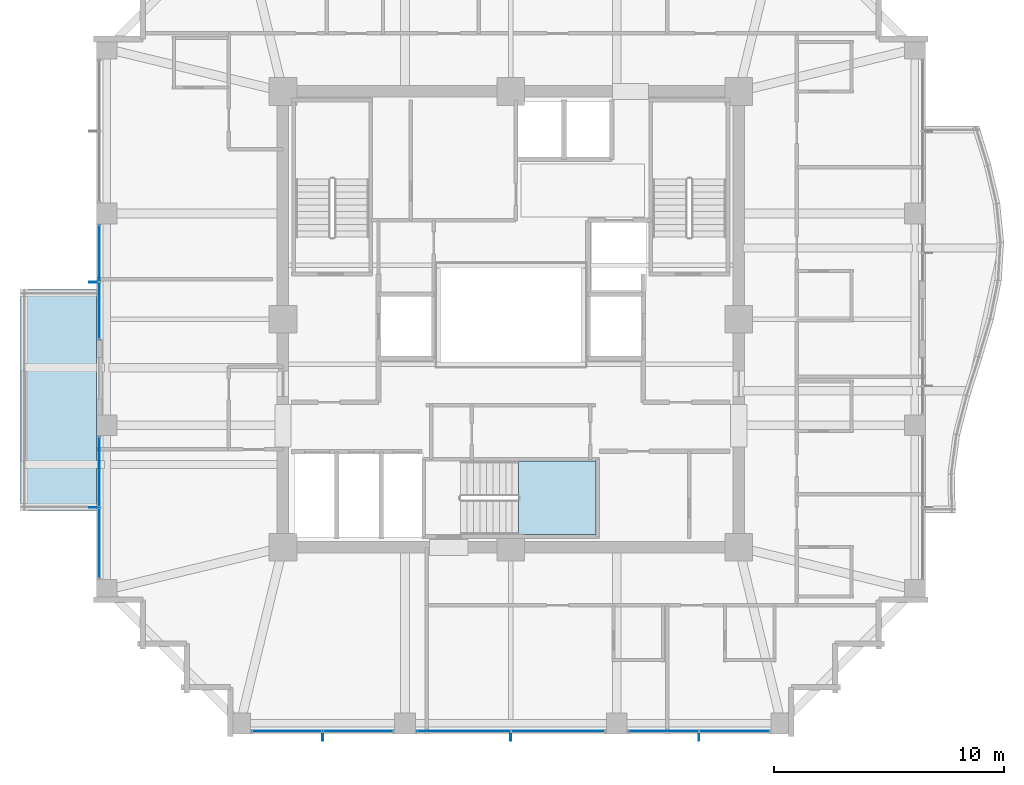
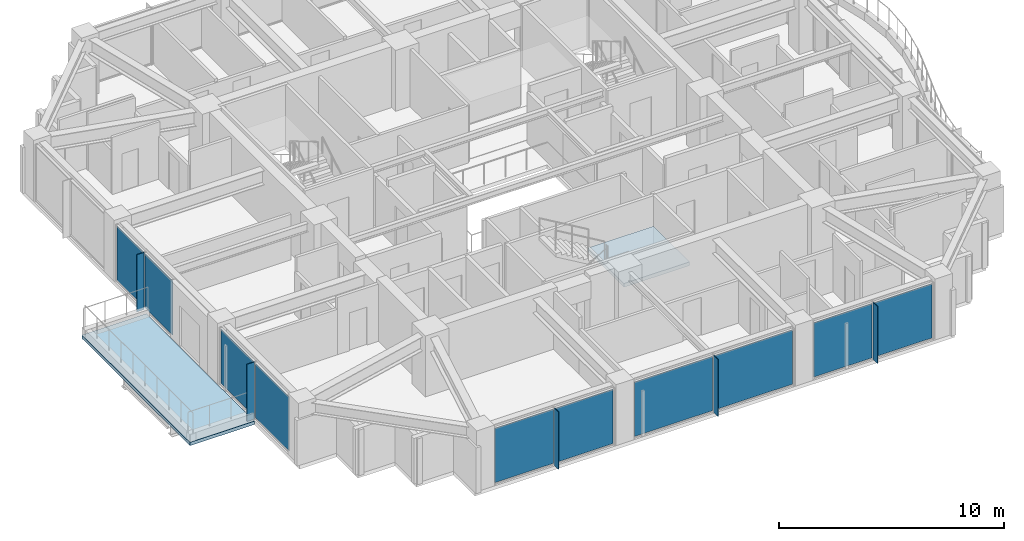
# One storey, part 22 of 32: 15 plates, 2 slabs, 6 elements without a shape of their own.
"""IFC4 building model written with IfcOpenShell, lengths in metres."""

from ifc_helpers import new_model, si_unit, direction, frame, origin, origin_2d, place, context, subcontext, project, spatial, polyline, rectangle, outline, extrude, material, layer, layer_set, type_object, element, aggregate, save


model = new_model("IFC4")

# Units and contexts
model_context = context("Model", 3, precision=1e-05, world=origin(), true_north=direction((0.0, 1.0)))
body_context = subcontext(model_context, "Body", "Model", "MODEL_VIEW")
ifc_project = project(units=[si_unit("LENGTHUNIT", "METRE"), si_unit("AREAUNIT", "SQUARE_METRE"), si_unit("VOLUMEUNIT", "CUBIC_METRE"), si_unit("PLANEANGLEUNIT", "RADIAN"), si_unit("MASSUNIT", "GRAM", prefix="KILO")], contexts=[model_context])

# Site, building, storey
site_placement = place(None, origin())
site = spatial("IfcSite", under=ifc_project, at=site_placement, CompositionType="ELEMENT")
building_placement = place(site_placement, origin())
building = spatial("IfcBuilding", under=site, at=building_placement, Name="Kolvaren Belvedere", CompositionType="ELEMENT")
storey_placement = place(building_placement, frame((0.0, 0.0, 141.5)))
storey = spatial("IfcBuildingStorey", under=building, at=storey_placement, Name="L41", CompositionType="ELEMENT", Elevation=141.5)

# Curtain wall, plates
ifc_material_1 = material(Name="Anodised pale-metal aluminium AA 6063-T6", Category="aluminium")
curtain_wall_type = type_object("IfcCurtainWallType", Name="CW-Z3-WAIST", PredefinedType="NOTDEFINED", material=ifc_material_1)
curtain_wall_1_placement = place(storey_placement, origin())
curtain_wall_1 = element("IfcCurtainWall", 1, at=curtain_wall_1_placement, inside=storey, type_object=curtain_wall_type, Name="L41 Unitised Curtain Wall FCW-L41-S-B1", PredefinedType="NOTDEFINED")
ifc_material_2 = material(Name="Low-iron triple insulated glass", Category="glass")
ifc_layer_1 = layer(ifc_material_2, 0.028076171875)
ifc_layer_set_1 = layer_set([ifc_layer_1], Name="Low-iron triple insulated glass")
plate_type_1 = type_object("IfcPlateType", Name="CW-PNL-VIS28", PredefinedType="CURTAIN_PANEL", material=ifc_layer_set_1)
plate_1_placement = place(storey_placement, frame((9.711181640625, -17.8798828125, 0.080078125), z_axis=(0.0, 0.0, 1.0), x_axis=(-1.0, 0.0, 0.0)))
plate_1 = element("IfcPlate", 2, at=plate_1_placement, type_object=plate_type_1, Name="FCW-L41-S-B1 Vision Glazing Panel 1", PredefinedType="CURTAIN_PANEL", context=body_context, shape_type="SweptSolid", body=[
    extrude(rectangle(XDim=2.992431640625, YDim=0.028076171875, at=origin_2d()), origin(), (0.0, 0.0, 1.0), 2.93994140625),
])
plate_2_placement = place(storey_placement, frame((6.638671875, -17.8798828125, 0.080078125), z_axis=(0.0, 0.0, 1.0), x_axis=(-1.0, 0.0, 0.0)))
plate_2 = element("IfcPlate", 3, at=plate_2_placement, type_object=plate_type_1, Name="FCW-L41-S-B1 Vision Glazing Panel 2", PredefinedType="CURTAIN_PANEL", context=body_context, shape_type="SweptSolid", body=[
    extrude(rectangle(XDim=2.992431640625, YDim=0.028076171875, at=origin_2d()), origin(), (0.0, 0.0, 1.0), 2.93994140625),
])
aggregate(curtain_wall_1, [plate_1, plate_2])

curtain_wall_2_placement = place(storey_placement, origin())
curtain_wall_2 = element("IfcCurtainWall", 4, at=curtain_wall_2_placement, inside=storey, type_object=curtain_wall_type, Name="L41 Unitised Curtain Wall FCW-L41-S-B2", PredefinedType="NOTDEFINED")
plate_3_placement = place(storey_placement, frame((2.048828125, -17.8798828125, 0.080078125), z_axis=(0.0, 0.0, 1.0), x_axis=(-1.0, 0.0, 0.0)))
plate_3 = element("IfcPlate", 5, at=plate_3_placement, type_object=plate_type_1, Name="FCW-L41-S-B2 Vision Glazing Panel 1", PredefinedType="CURTAIN_PANEL", context=body_context, shape_type="SweptSolid", body=[
    extrude(rectangle(XDim=4.017578125, YDim=0.028076171875, at=origin_2d()), origin(), (0.0, 0.0, 1.0), 2.93994140625),
])
plate_4_placement = place(storey_placement, frame((-2.048828125, -17.8798828125, 0.080078125), z_axis=(0.0, 0.0, 1.0), x_axis=(-1.0, 0.0, 0.0)))
plate_4 = element("IfcPlate", 6, at=plate_4_placement, type_object=plate_type_1, Name="FCW-L41-S-B2 Vision Glazing Panel 2", PredefinedType="CURTAIN_PANEL", context=body_context, shape_type="SweptSolid", body=[
    extrude(rectangle(XDim=4.017578125, YDim=0.028076171875, at=origin_2d()), origin(), (0.0, 0.0, 1.0), 2.93994140625),
])
aggregate(curtain_wall_2, [plate_3, plate_4])

curtain_wall_3_placement = place(storey_placement, origin())
curtain_wall_3 = element("IfcCurtainWall", 7, at=curtain_wall_3_placement, inside=storey, type_object=curtain_wall_type, Name="L41 Unitised Curtain Wall FCW-L41-S-B3", PredefinedType="NOTDEFINED")
plate_5_placement = place(storey_placement, frame((-6.638671875, -17.8798828125, 0.080078125), z_axis=(0.0, 0.0, 1.0), x_axis=(-1.0, 0.0, 0.0)))
plate_5 = element("IfcPlate", 8, at=plate_5_placement, type_object=plate_type_1, Name="FCW-L41-S-B3 Vision Glazing Panel 1", PredefinedType="CURTAIN_PANEL", context=body_context, shape_type="SweptSolid", body=[
    extrude(rectangle(XDim=2.992431640625, YDim=0.028076171875, at=origin_2d()), origin(), (0.0, 0.0, 1.0), 2.93994140625),
])
plate_6_placement = place(storey_placement, frame((-9.711181640625, -17.8798828125, 0.080078125), z_axis=(0.0, 0.0, 1.0), x_axis=(-1.0, 0.0, 0.0)))
plate_6 = element("IfcPlate", 9, at=plate_6_placement, type_object=plate_type_1, Name="FCW-L41-S-B3 Vision Glazing Panel 2", PredefinedType="CURTAIN_PANEL", context=body_context, shape_type="SweptSolid", body=[
    extrude(rectangle(XDim=2.992431640625, YDim=0.028076171875, at=origin_2d()), origin(), (0.0, 0.0, 1.0), 2.93994140625),
])
aggregate(curtain_wall_3, [plate_5, plate_6])

curtain_wall_4_placement = place(storey_placement, origin())
curtain_wall_4 = element("IfcCurtainWall", 10, at=curtain_wall_4_placement, inside=storey, type_object=curtain_wall_type, Name="L41 Unitised Curtain Wall FCW-L41-W1", PredefinedType="NOTDEFINED")
plate_7_placement = place(storey_placement, frame((-17.8798828125, -9.711181640625, 0.080078125), z_axis=(0.0, 0.0, 1.0), x_axis=(0.0, 1.0, 0.0)))
plate_7 = element("IfcPlate", 11, at=plate_7_placement, type_object=plate_type_1, Name="FCW-L41-W1 Vision Glazing Panel 1", PredefinedType="CURTAIN_PANEL", context=body_context, shape_type="SweptSolid", body=[
    extrude(rectangle(XDim=2.992431640625, YDim=0.028076171875, at=origin_2d()), origin(), (0.0, 0.0, 1.0), 2.93994140625),
])
plate_8_placement = place(storey_placement, frame((-17.8798828125, -6.638671875, 0.080078125), z_axis=(0.0, 0.0, 1.0), x_axis=(0.0, 1.0, 0.0)))
plate_8 = element("IfcPlate", 12, at=plate_8_placement, type_object=plate_type_1, Name="FCW-L41-W1 Vision Glazing Panel 2", PredefinedType="CURTAIN_PANEL", context=body_context, shape_type="SweptSolid", body=[
    extrude(rectangle(XDim=2.992431640625, YDim=0.028076171875, at=origin_2d()), origin(), (0.0, 0.0, 1.0), 2.93994140625),
])
aggregate(curtain_wall_4, [plate_7, plate_8])

curtain_wall_5_placement = place(storey_placement, origin())
curtain_wall_5 = element("IfcCurtainWall", 13, at=curtain_wall_5_placement, inside=storey, type_object=curtain_wall_type, Name="L41 Unitised Curtain Wall FCW-L41-W2-B1", PredefinedType="NOTDEFINED")
plate_9_placement = place(storey_placement, frame((-17.8798828125, 0.371826171875, 0.080078125), z_axis=(0.0, 0.0, 1.0), x_axis=(0.0, 1.0, 0.0)))
plate_9 = element("IfcPlate", 14, at=plate_9_placement, type_object=plate_type_1, Name="FCW-L41-W2-B1 Vision Glazing Panel 1", PredefinedType="CURTAIN_PANEL", context=body_context, shape_type="SweptSolid", body=[
    extrude(rectangle(XDim=2.40380859375, YDim=0.028076171875, at=origin_2d()), origin(), (0.0, 0.0, 1.0), 2.93994140625),
])
plate_10_placement = place(storey_placement, frame((-17.8798828125, 2.855712890625, 0.080078125), z_axis=(0.0, 0.0, 1.0), x_axis=(0.0, 1.0, 0.0)))
plate_10 = element("IfcPlate", 15, at=plate_10_placement, type_object=plate_type_1, Name="FCW-L41-W2-B1 Vision Glazing Panel 2", PredefinedType="CURTAIN_PANEL", context=body_context, shape_type="SweptSolid", body=[
    extrude(rectangle(XDim=2.40380859375, YDim=0.028076171875, at=origin_2d()), origin(), (0.0, 0.0, 1.0), 2.93994140625),
])
aggregate(curtain_wall_5, [plate_9, plate_10])

# Plates
ifc_material_3 = material(Name="Anodised pale-metal aluminium AA 6063-T6", Category="aluminium")
ifc_layer_2 = layer(ifc_material_3, 0.033935546875)
ifc_layer_set_2 = layer_set([ifc_layer_2], Name="Anodised pale-metal aluminium AA 6063-T6")
plate_type_2 = type_object("IfcPlateType", Name="FIN-VERT-380", PredefinedType="USERDEFINED", material=ifc_layer_set_2)
for number, where, z_axis, x_axis, name in (
    (16, (8.175048828125, -18.1201171875, 0.0), (0.0, 0.0, 1.0), (0.0, 1.0, 0.0), "L41 Pale-Metal Vertical Shading Fin FCW-L41-S-B1-1"),
    (17, (0.0, -18.1201171875, 0.0), (0.0, 0.0, 1.0), (0.0, 1.0, 0.0), "L41 Pale-Metal Vertical Shading Fin FCW-L41-S-B2-1"),
    (18, (-8.175048828125, -18.1201171875, 0.0), (0.0, 0.0, 1.0), (0.0, 1.0, 0.0), "L41 Pale-Metal Vertical Shading Fin FCW-L41-S-B3-1"),
    (19, (-18.1201171875, -8.175048828125, 0.0), (0.0, 0.0, 1.0), (1.0, 0.0, 0.0), "L41 Pale-Metal Vertical Shading Fin FCW-L41-W1-1"),
    (20, (-18.1201171875, 1.61376953125, 0.0), (0.0, 0.0, 1.0), (1.0, 0.0, 0.0), "L41 Pale-Metal Vertical Shading Fin FCW-L41-W2-B1-1"),
):
    element("IfcPlate", number, at=place(storey_placement, frame(where, z_axis=z_axis, x_axis=x_axis)), inside=storey, type_object=plate_type_2, Name=name, ObjectType="VERTICAL FIN", PredefinedType="USERDEFINED", context=body_context, shape_type="SweptSolid", body=[
        extrude(rectangle(XDim=0.3798828125, YDim=0.033935546875, at=origin_2d()), origin(), (0.0, 0.0, 1.0), 3.10009765625),
    ])

# Slab
ifc_material_4 = material(Name="Concrete C50/60", Category="concrete")
ifc_layer_3 = layer(ifc_material_4, 0.179931640625)
ifc_layer_set_3 = layer_set([ifc_layer_3], Name="Concrete C50/60")
slab_type_1 = type_object("IfcSlabType", Name="SL-BAL-180", PredefinedType="FLOOR", material=ifc_layer_set_3)
slab_1_placement = place(storey_placement, frame((0.0, 0.0, -0.199951171875)))
element("IfcSlab", 21, at=slab_1_placement, inside=storey, type_object=slab_type_1, Name="L41 Planted Sky Terrace SPIRAL-06-W", PredefinedType="FLOOR", context=body_context, shape_type="SweptSolid", body=[
    extrude(outline(polyline([(-21.300048828125, -8.300048828125), (-18.0, -8.300048828125), (-18.0, 1.300048828125), (-21.300048828125, 1.300048828125), (-21.300048828125, -8.300048828125)])), origin(), (0.0, 0.0, 1.0), 0.179931640625),
])

# Stair, slab
ifc_material_5 = material(Name="Concrete C50/60", Category="concrete")
stair_type = type_object("IfcStairType", Name="ST-CORE-1520", PredefinedType="HALF_TURN_STAIR", material=ifc_material_5)
stair_placement = place(storey_placement, origin())
stair = element("IfcStair", 22, at=stair_placement, inside=storey, type_object=stair_type, Name="L41 Protected Exit Stair ST-3", PredefinedType="HALF_TURN_STAIR")
ifc_material_6 = material(Name="Concrete C50/60", Category="concrete")
ifc_layer_4 = layer(ifc_material_6, 0.260009765625)
ifc_layer_set_4 = layer_set([ifc_layer_4], Name="Concrete C50/60")
slab_type_2 = type_object("IfcSlabType", Name="SL-LAND-260", PredefinedType="LANDING", material=ifc_layer_set_4)
slab_2_placement = place(storey_placement, frame((0.0, 0.0, 1.449951171875)))
slab_2 = element("IfcSlab", 23, at=slab_2_placement, type_object=slab_type_2, Name="ST-3 landing 1", PredefinedType="LANDING", context=body_context, shape_type="SweptSolid", body=[
    extrude(outline(polyline([(0.340087890625, -9.35009765625), (3.699951171875, -9.35009765625), (3.699951171875, -6.159912109375), (0.340087890625, -6.159912109375), (0.340087890625, -9.35009765625)])), origin(), (0.0, 0.0, 1.0), 0.199951171875),
])
aggregate(stair, [slab_2])

save(model, "model.ifc")
